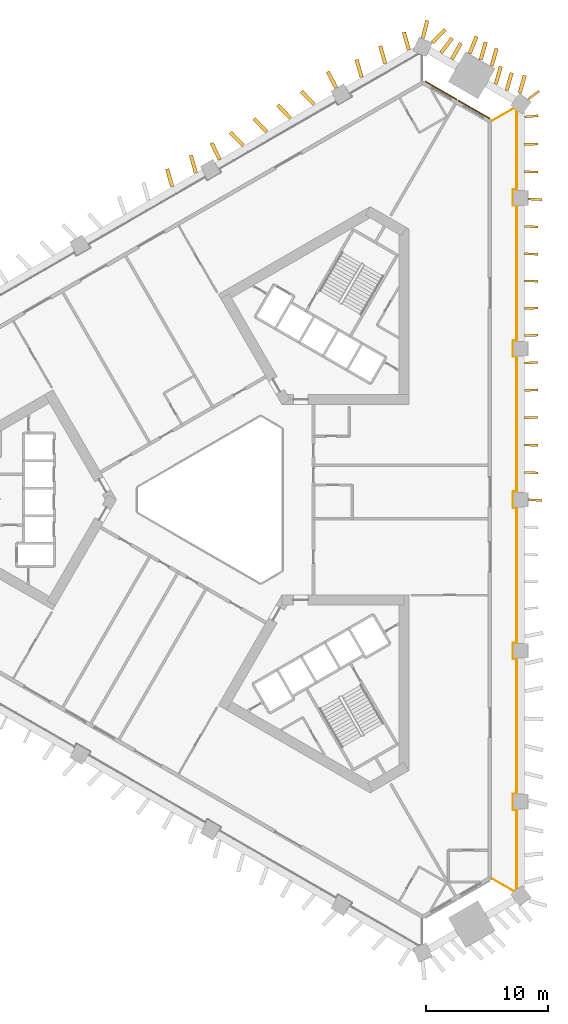
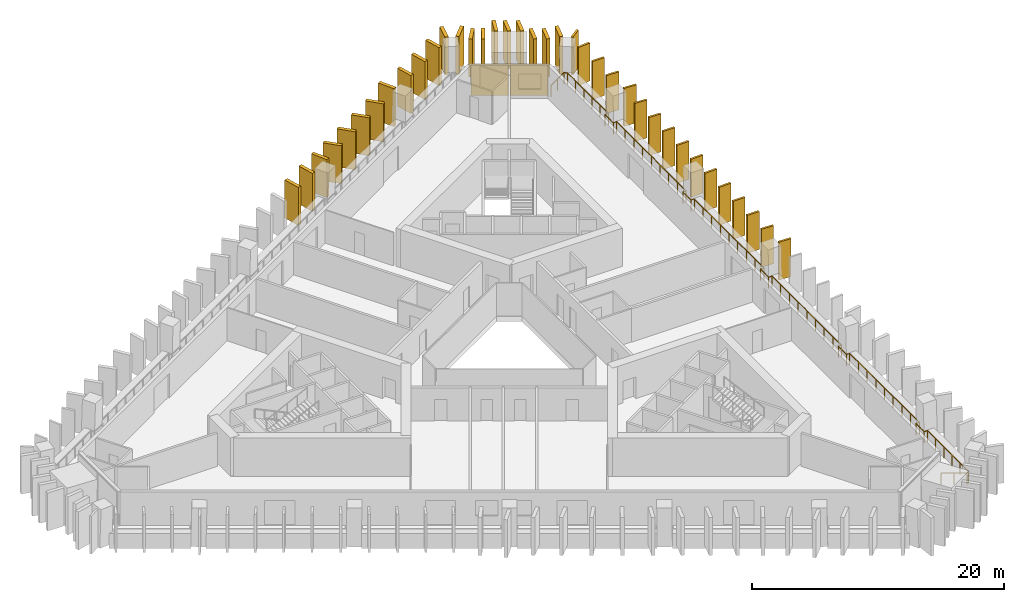
# One storey, part 10 of 10: 37 shading devices, 2 coverings, 1 railing.
"""IFC4 building model written with IfcOpenShell, lengths in metres."""

from ifc_helpers import new_model, si_unit, direction, frame, frame_2d, origin, origin_2d, place, context, subcontext, project, spatial, rectangle, circle, extrude, material, layer, layer_set, type_object, element, save


model = new_model("IFC4")

# Units and contexts
model_context = context("Model", 3, precision=1e-05, world=origin(), true_north=direction((0.0, 1.0)))
body_context = subcontext(model_context, "Body", "Model", "MODEL_VIEW")
ifc_project = project(units=[si_unit("LENGTHUNIT", "METRE"), si_unit("AREAUNIT", "SQUARE_METRE"), si_unit("VOLUMEUNIT", "CUBIC_METRE"), si_unit("PLANEANGLEUNIT", "RADIAN"), si_unit("MASSUNIT", "GRAM", prefix="KILO")], contexts=[model_context])

# Site, building, storey
site_placement = place(None, origin())
site = spatial("IfcSite", under=ifc_project, at=site_placement, CompositionType="ELEMENT")
building_placement = place(site_placement, origin())
building = spatial("IfcBuilding", under=site, at=building_placement, Name="Jabali Bay Hotel Tower and Convention Centre", CompositionType="ELEMENT")
storey_placement = place(building_placement, frame((0.0, 0.0, 30.0)))
storey = spatial("IfcBuildingStorey", under=building, at=storey_placement, Name="L05", CompositionType="ELEMENT", Elevation=30.0)

# Railing
ifc_material_1 = material(Name="Glass", Category="glass")
railing_type = type_object("IfcRailingType", Name="Loggia glass guard 1100", PredefinedType="BALUSTRADE", material=ifc_material_1)
railing_placement = place(storey_placement, frame((96.699951171875, 110.969970703125, 0.0)))
element("IfcRailing", 1, at=railing_placement, inside=storey, type_object=railing_type, Name="Loggia glass guard L05", PredefinedType="BALUSTRADE", context=body_context, shape_type="SweptSolid", body=[
    extrude(circle(Radius=0.02490234375, at=origin_2d()), frame((0.0, 0.0, 1.0751953125), z_axis=(0.866005633567, 0.500034241458, 0.0), x_axis=(-0.495756379204, 0.858596835321, 0.13052619222)), (0.0, 0.0, 1.0), 2.055908203125),
    extrude(circle(Radius=0.02490234375, at=origin_2d()), frame((1.780517578125, 1.028076171875, 1.0751953125), z_axis=(0.802243160575, -0.596997413153, 0.0), x_axis=(0.591890017524, 0.795379859124, 0.13052619222)), (0.0, 0.0, 1.0), 0.273681640625),
    extrude(circle(Radius=0.02490234375, at=origin_2d()), frame((2.0, 0.86474609375, 1.0751953125), z_axis=(0.0, -1.0, 0.0), x_axis=(0.991444861374, 0.0, 0.13052619222)), (0.0, 0.0, 1.0), 6.504638671875),
    extrude(circle(Radius=0.02490234375, at=origin_2d()), frame((2.0, -5.639892578125, 1.0751953125), z_axis=(-1.0, 0.0, 0.0), x_axis=(0.0, -0.991444861374, 0.13052619222)), (0.0, 0.0, 1.0), 0.300048828125),
    extrude(circle(Radius=0.02490234375, at=origin_2d()), frame((1.699951171875, -5.639892578125, 1.0751953125), z_axis=(0.0, -1.0, 0.0), x_axis=(0.991444861374, 0.0, 0.13052619222)), (0.0, 0.0, 1.0), 1.300048828125),
    extrude(circle(Radius=0.02490234375, at=origin_2d()), frame((1.699951171875, -6.93994140625, 1.0751953125), z_axis=(1.0, 0.0, 0.0), x_axis=(0.0, 0.991444861374, 0.13052619222)), (0.0, 0.0, 1.0), 0.300048828125),
    extrude(circle(Radius=0.02490234375, at=origin_2d()), frame((2.0, -6.93994140625, 1.0751953125), z_axis=(0.0, -1.0, 0.0), x_axis=(0.991444861374, 0.0, 0.13052619222)), (0.0, 0.0, 1.0), 11.0400390625),
    extrude(circle(Radius=0.02490234375, at=origin_2d()), frame((2.0, -17.97998046875, 1.0751953125), z_axis=(-1.0, 0.0, 0.0), x_axis=(0.0, -0.991444861374, 0.13052619222)), (0.0, 0.0, 1.0), 0.300048828125),
    extrude(circle(Radius=0.02490234375, at=origin_2d()), frame((1.699951171875, -17.97998046875, 1.0751953125), z_axis=(0.0, -1.0, 0.0), x_axis=(0.991444861374, 0.0, 0.13052619222)), (0.0, 0.0, 1.0), 1.300048828125),
    extrude(circle(Radius=0.02490234375, at=origin_2d()), frame((1.699951171875, -19.280029296875, 1.0751953125), z_axis=(1.0, 0.0, 0.0), x_axis=(0.0, 0.991444861374, 0.13052619222)), (0.0, 0.0, 1.0), 0.300048828125),
    extrude(circle(Radius=0.02490234375, at=origin_2d()), frame((2.0, -19.280029296875, 1.0751953125), z_axis=(0.0, -1.0, 0.0), x_axis=(0.991444861374, 0.0, 0.13052619222)), (0.0, 0.0, 1.0), 11.0400390625),
    extrude(circle(Radius=0.02490234375, at=origin_2d()), frame((2.0, -30.320068359375, 1.0751953125), z_axis=(-1.0, 0.0, 0.0), x_axis=(0.0, -0.991444861374, 0.13052619222)), (0.0, 0.0, 1.0), 0.300048828125),
    extrude(circle(Radius=0.02490234375, at=origin_2d()), frame((1.699951171875, -30.320068359375, 1.0751953125), z_axis=(0.0, -1.0, 0.0), x_axis=(0.991444861374, 0.0, 0.13052619222)), (0.0, 0.0, 1.0), 1.2998046875),
    extrude(circle(Radius=0.02490234375, at=origin_2d()), frame((1.699951171875, -31.619873046875, 1.0751953125), z_axis=(1.0, 0.0, 0.0), x_axis=(0.0, 0.991444861374, 0.13052619222)), (0.0, 0.0, 1.0), 0.300048828125),
    extrude(circle(Radius=0.02490234375, at=origin_2d()), frame((2.0, -31.619873046875, 1.0751953125), z_axis=(0.0, -1.0, 0.0), x_axis=(0.991444861374, 0.0, 0.13052619222)), (0.0, 0.0, 1.0), 11.0400390625),
    extrude(circle(Radius=0.02490234375, at=origin_2d()), frame((2.0, -42.659912109375, 1.0751953125), z_axis=(-1.0, 0.0, 0.0), x_axis=(0.0, -0.991444861374, 0.13052619222)), (0.0, 0.0, 1.0), 0.300048828125),
    extrude(circle(Radius=0.02490234375, at=origin_2d()), frame((1.699951171875, -42.659912109375, 1.0751953125), z_axis=(0.0, -1.0, 0.0), x_axis=(0.991444861374, 0.0, 0.13052619222)), (0.0, 0.0, 1.0), 1.300048828125),
    extrude(circle(Radius=0.02490234375, at=origin_2d()), frame((1.699951171875, -43.9599609375, 1.0751953125), z_axis=(1.0, 0.0, 0.0), x_axis=(0.0, 0.991444861374, 0.13052619222)), (0.0, 0.0, 1.0), 0.300048828125),
    extrude(circle(Radius=0.02490234375, at=origin_2d()), frame((2.0, -43.9599609375, 1.0751953125), z_axis=(0.0, -1.0, 0.0), x_axis=(0.991444861374, 0.0, 0.13052619222)), (0.0, 0.0, 1.0), 11.0400390625),
    extrude(circle(Radius=0.02490234375, at=origin_2d()), frame((2.0, -55.0, 1.0751953125), z_axis=(-1.0, 0.0, 0.0), x_axis=(0.0, -0.991444861374, 0.13052619222)), (0.0, 0.0, 1.0), 0.300048828125),
    extrude(circle(Radius=0.02490234375, at=origin_2d()), frame((1.699951171875, -55.0, 1.0751953125), z_axis=(0.0, -1.0, 0.0), x_axis=(0.991444861374, 0.0, 0.13052619222)), (0.0, 0.0, 1.0), 1.300048828125),
    extrude(circle(Radius=0.02490234375, at=origin_2d()), frame((1.699951171875, -56.300048828125, 1.0751953125), z_axis=(1.0, 0.0, 0.0), x_axis=(0.0, 0.991444861374, 0.13052619222)), (0.0, 0.0, 1.0), 0.300048828125),
    extrude(circle(Radius=0.02490234375, at=origin_2d()), frame((2.0, -56.300048828125, 1.0751953125), z_axis=(0.0, -1.0, 0.0), x_axis=(0.991444861374, 0.0, 0.13052619222)), (0.0, 0.0, 1.0), 6.504638671875),
    extrude(circle(Radius=0.02490234375, at=origin_2d()), frame((2.0, -62.8046875, 1.0751953125), z_axis=(-0.802243160575, -0.596997413153, 0.0), x_axis=(0.591890017524, -0.795379859124, 0.13052619222)), (0.0, 0.0, 1.0), 0.273681640625),
    extrude(circle(Radius=0.02490234375, at=origin_2d()), frame((1.780517578125, -62.968017578125, 1.0751953125), z_axis=(-0.866005633567, 0.500034241458, 0.0), x_axis=(-0.495756379204, -0.858596835321, 0.13052619222)), (0.0, 0.0, 1.0), 2.055908203125),
    extrude(circle(Radius=0.02001953125, at=origin_2d()), origin(), (0.0, 0.0, 1.0), 1.050048828125),
    extrude(circle(Radius=0.02001953125, at=origin_2d()), frame((0.89013671875, 0.51416015625, 0.0)), (0.0, 0.0, 1.0), 1.050048828125),
    extrude(circle(Radius=0.02001953125, at=origin_2d()), frame((1.780517578125, 1.028076171875, 0.0)), (0.0, 0.0, 1.0), 1.050048828125),
    extrude(circle(Radius=0.02001953125, at=origin_2d()), frame((2.0, 0.86474609375, 0.0)), (0.0, 0.0, 1.0), 1.050048828125),
    extrude(circle(Radius=0.02001953125, at=origin_2d()), frame((2.0, -0.436279296875, 0.0)), (0.0, 0.0, 1.0), 1.050048828125),
    extrude(circle(Radius=0.02001953125, at=origin_2d()), frame((2.0, -1.737060546875, 0.0)), (0.0, 0.0, 1.0), 1.050048828125),
    extrude(circle(Radius=0.02001953125, at=origin_2d()), frame((2.0, -3.0380859375, 0.0)), (0.0, 0.0, 1.0), 1.050048828125),
    extrude(circle(Radius=0.02001953125, at=origin_2d()), frame((2.0, -4.3388671875, 0.0)), (0.0, 0.0, 1.0), 1.050048828125),
    extrude(circle(Radius=0.02001953125, at=origin_2d()), frame((2.0, -5.639892578125, 0.0)), (0.0, 0.0, 1.0), 1.050048828125),
    extrude(circle(Radius=0.02001953125, at=origin_2d()), frame((1.699951171875, -5.639892578125, 0.0)), (0.0, 0.0, 1.0), 1.050048828125),
    extrude(circle(Radius=0.02001953125, at=origin_2d()), frame((1.699951171875, -6.93994140625, 0.0)), (0.0, 0.0, 1.0), 1.050048828125),
    extrude(circle(Radius=0.02001953125, at=origin_2d()), frame((2.0, -6.93994140625, 0.0)), (0.0, 0.0, 1.0), 1.050048828125),
    extrude(circle(Radius=0.02001953125, at=origin_2d()), frame((2.0, -8.31982421875, 0.0)), (0.0, 0.0, 1.0), 1.050048828125),
    extrude(circle(Radius=0.02001953125, at=origin_2d()), frame((2.0, -9.699951171875, 0.0)), (0.0, 0.0, 1.0), 1.050048828125),
    extrude(circle(Radius=0.02001953125, at=origin_2d()), frame((2.0, -11.080078125, 0.0)), (0.0, 0.0, 1.0), 1.050048828125),
    extrude(circle(Radius=0.02001953125, at=origin_2d()), frame((2.0, -12.4599609375, 0.0)), (0.0, 0.0, 1.0), 1.050048828125),
    extrude(circle(Radius=0.02001953125, at=origin_2d()), frame((2.0, -13.83984375, 0.0)), (0.0, 0.0, 1.0), 1.050048828125),
    extrude(circle(Radius=0.02001953125, at=origin_2d()), frame((2.0, -15.219970703125, 0.0)), (0.0, 0.0, 1.0), 1.050048828125),
    extrude(circle(Radius=0.02001953125, at=origin_2d()), frame((2.0, -16.60009765625, 0.0)), (0.0, 0.0, 1.0), 1.050048828125),
    extrude(circle(Radius=0.02001953125, at=origin_2d()), frame((2.0, -17.97998046875, 0.0)), (0.0, 0.0, 1.0), 1.050048828125),
    extrude(circle(Radius=0.02001953125, at=origin_2d()), frame((1.699951171875, -17.97998046875, 0.0)), (0.0, 0.0, 1.0), 1.050048828125),
    extrude(circle(Radius=0.02001953125, at=origin_2d()), frame((1.699951171875, -19.280029296875, 0.0)), (0.0, 0.0, 1.0), 1.050048828125),
    extrude(circle(Radius=0.02001953125, at=origin_2d()), frame((2.0, -19.280029296875, 0.0)), (0.0, 0.0, 1.0), 1.050048828125),
    extrude(circle(Radius=0.02001953125, at=origin_2d()), frame((2.0, -20.66015625, 0.0)), (0.0, 0.0, 1.0), 1.050048828125),
    extrude(circle(Radius=0.02001953125, at=origin_2d()), frame((2.0, -22.0400390625, 0.0)), (0.0, 0.0, 1.0), 1.050048828125),
    extrude(circle(Radius=0.02001953125, at=origin_2d()), frame((2.0, -23.419921875, 0.0)), (0.0, 0.0, 1.0), 1.050048828125),
    extrude(circle(Radius=0.02001953125, at=origin_2d()), frame((2.0, -24.800048828125, 0.0)), (0.0, 0.0, 1.0), 1.050048828125),
    extrude(circle(Radius=0.02001953125, at=origin_2d()), frame((2.0, -26.18017578125, 0.0)), (0.0, 0.0, 1.0), 1.050048828125),
    extrude(circle(Radius=0.02001953125, at=origin_2d()), frame((2.0, -27.56005859375, 0.0)), (0.0, 0.0, 1.0), 1.050048828125),
    extrude(circle(Radius=0.02001953125, at=origin_2d()), frame((2.0, -28.93994140625, 0.0)), (0.0, 0.0, 1.0), 1.050048828125),
    extrude(circle(Radius=0.02001953125, at=origin_2d()), frame((2.0, -30.320068359375, 0.0)), (0.0, 0.0, 1.0), 1.050048828125),
    extrude(circle(Radius=0.02001953125, at=origin_2d()), frame((1.699951171875, -30.320068359375, 0.0)), (0.0, 0.0, 1.0), 1.050048828125),
    extrude(circle(Radius=0.02001953125, at=origin_2d()), frame((1.699951171875, -31.619873046875, 0.0)), (0.0, 0.0, 1.0), 1.050048828125),
    extrude(circle(Radius=0.02001953125, at=origin_2d()), frame((2.0, -31.619873046875, 0.0)), (0.0, 0.0, 1.0), 1.050048828125),
    extrude(circle(Radius=0.02001953125, at=origin_2d()), frame((2.0, -33.0, 0.0)), (0.0, 0.0, 1.0), 1.050048828125),
    extrude(circle(Radius=0.02001953125, at=origin_2d()), frame((2.0, -34.3798828125, 0.0)), (0.0, 0.0, 1.0), 1.050048828125),
    extrude(circle(Radius=0.02001953125, at=origin_2d()), frame((2.0, -35.759765625, 0.0)), (0.0, 0.0, 1.0), 1.050048828125),
    extrude(circle(Radius=0.02001953125, at=origin_2d()), frame((2.0, -37.139892578125, 0.0)), (0.0, 0.0, 1.0), 1.050048828125),
    extrude(circle(Radius=0.02001953125, at=origin_2d()), frame((2.0, -38.52001953125, 0.0)), (0.0, 0.0, 1.0), 1.050048828125),
    extrude(circle(Radius=0.02001953125, at=origin_2d()), frame((2.0, -39.89990234375, 0.0)), (0.0, 0.0, 1.0), 1.050048828125),
    extrude(circle(Radius=0.02001953125, at=origin_2d()), frame((2.0, -41.27978515625, 0.0)), (0.0, 0.0, 1.0), 1.050048828125),
    extrude(circle(Radius=0.02001953125, at=origin_2d()), frame((2.0, -42.659912109375, 0.0)), (0.0, 0.0, 1.0), 1.050048828125),
    extrude(circle(Radius=0.02001953125, at=origin_2d()), frame((1.699951171875, -42.659912109375, 0.0)), (0.0, 0.0, 1.0), 1.050048828125),
    extrude(circle(Radius=0.02001953125, at=origin_2d()), frame((1.699951171875, -43.9599609375, 0.0)), (0.0, 0.0, 1.0), 1.050048828125),
    extrude(circle(Radius=0.02001953125, at=origin_2d()), frame((2.0, -43.9599609375, 0.0)), (0.0, 0.0, 1.0), 1.050048828125),
    extrude(circle(Radius=0.02001953125, at=origin_2d()), frame((2.0, -45.33984375, 0.0)), (0.0, 0.0, 1.0), 1.050048828125),
    extrude(circle(Radius=0.02001953125, at=origin_2d()), frame((2.0, -46.719970703125, 0.0)), (0.0, 0.0, 1.0), 1.050048828125),
    extrude(circle(Radius=0.02001953125, at=origin_2d()), frame((2.0, -48.10009765625, 0.0)), (0.0, 0.0, 1.0), 1.050048828125),
    extrude(circle(Radius=0.02001953125, at=origin_2d()), frame((2.0, -49.47998046875, 0.0)), (0.0, 0.0, 1.0), 1.050048828125),
    extrude(circle(Radius=0.02001953125, at=origin_2d()), frame((2.0, -50.85986328125, 0.0)), (0.0, 0.0, 1.0), 1.050048828125),
    extrude(circle(Radius=0.02001953125, at=origin_2d()), frame((2.0, -52.239990234375, 0.0)), (0.0, 0.0, 1.0), 1.050048828125),
    extrude(circle(Radius=0.02001953125, at=origin_2d()), frame((2.0, -53.6201171875, 0.0)), (0.0, 0.0, 1.0), 1.050048828125),
    extrude(circle(Radius=0.02001953125, at=origin_2d()), frame((2.0, -55.0, 0.0)), (0.0, 0.0, 1.0), 1.050048828125),
    extrude(circle(Radius=0.02001953125, at=origin_2d()), frame((1.699951171875, -55.0, 0.0)), (0.0, 0.0, 1.0), 1.050048828125),
    extrude(circle(Radius=0.02001953125, at=origin_2d()), frame((1.699951171875, -56.300048828125, 0.0)), (0.0, 0.0, 1.0), 1.050048828125),
    extrude(circle(Radius=0.02001953125, at=origin_2d()), frame((2.0, -56.300048828125, 0.0)), (0.0, 0.0, 1.0), 1.050048828125),
    extrude(circle(Radius=0.02001953125, at=origin_2d()), frame((2.0, -57.60107421875, 0.0)), (0.0, 0.0, 1.0), 1.050048828125),
    extrude(circle(Radius=0.02001953125, at=origin_2d()), frame((2.0, -58.90185546875, 0.0)), (0.0, 0.0, 1.0), 1.050048828125),
    extrude(circle(Radius=0.02001953125, at=origin_2d()), frame((2.0, -60.202880859375, 0.0)), (0.0, 0.0, 1.0), 1.050048828125),
    extrude(circle(Radius=0.02001953125, at=origin_2d()), frame((2.0, -61.503662109375, 0.0)), (0.0, 0.0, 1.0), 1.050048828125),
    extrude(circle(Radius=0.02001953125, at=origin_2d()), frame((2.0, -62.8046875, 0.0)), (0.0, 0.0, 1.0), 1.050048828125),
    extrude(circle(Radius=0.02001953125, at=origin_2d()), frame((1.780517578125, -62.968017578125, 0.0)), (0.0, 0.0, 1.0), 1.050048828125),
    extrude(circle(Radius=0.02001953125, at=origin_2d()), frame((0.89013671875, -62.4541015625, 0.0)), (0.0, 0.0, 1.0), 1.050048828125),
    extrude(circle(Radius=0.02001953125, at=origin_2d()), frame((0.0, -61.93994140625, 0.0)), (0.0, 0.0, 1.0), 1.050048828125),
])

# Shading devices
ifc_material_2 = material(Name="Precast concrete C60", Category="concrete")
ifc_layer_1 = layer(ifc_material_2, 0.179931640625)
ifc_layer_set_1 = layer_set([ifc_layer_1], Name="Precast concrete C60")
shading_device_type_1 = type_object("IfcShadingDeviceType", Name="Precast fin 3680 x 1100", PredefinedType="USERDEFINED", material=ifc_layer_set_1)
shading_device_1_placement = place(storey_placement, frame((99.654541015625, 80.0, 0.010009765625), z_axis=(0.0, 0.0, 1.0), x_axis=(0.998639202456, -0.05215115835, 0.0)))
element("IfcShadingDevice", 2, at=shading_device_1_placement, inside=storey, type_object=shading_device_type_1, Name="Fin L05 014", ObjectType="FIN", PredefinedType="USERDEFINED", context=body_context, shape_type="SweptSolid", body=[
    extrude(rectangle(XDim=1.10009765625, YDim=0.179931640625, at=frame_2d((0.550048828125, 0.0))), origin(), (0.0, 0.0, 1.0), 3.679931640625),
])
for number, where, z_axis, x_axis, name in (
    (3, (99.34619140625, 82.2333984375, 0.010009765625), (0.0, 0.0, 1.0), (0.999156382467, -0.04106730299, 0.0), "Fin L05 015"),
    (4, (99.34375, 84.466796875, 0.010009765625), (0.0, 0.0, 1.0), (0.999911320111, -0.013317353875, 0.0), "Fin L05 016"),
):
    element("IfcShadingDevice", number, at=place(storey_placement, frame(where, z_axis=z_axis, x_axis=x_axis)), inside=storey, type_object=shading_device_type_1, Name=name, ObjectType="FIN", PredefinedType="USERDEFINED", context=body_context, shape_type="SweptSolid", body=[
        extrude(rectangle(XDim=1.099853515625, YDim=0.179931640625, at=frame_2d((0.5498046875, 0.0))), origin(), (0.0, 0.0, 1.0), 3.679931640625),
    ])
shading_device_2_placement = place(storey_placement, frame((99.343994140625, 86.7001953125, 0.010009765625), z_axis=(0.0, 0.0, 1.0), x_axis=(0.999838398582, 0.0179771166, 0.0)))
element("IfcShadingDevice", 5, at=shading_device_2_placement, inside=storey, type_object=shading_device_type_1, Name="Fin L05 017", ObjectType="FIN", PredefinedType="USERDEFINED", context=body_context, shape_type="SweptSolid", body=[
    extrude(rectangle(XDim=1.10009765625, YDim=0.179931640625, at=frame_2d((0.550048828125, 0.0))), origin(), (0.0, 0.0, 1.0), 3.679931640625),
])
shading_device_3_placement = place(storey_placement, frame((99.346435546875, 88.93359375, 0.010009765625), z_axis=(0.0, 0.0, 1.0), x_axis=(0.9990532245, 0.043504650523, 0.0)))
element("IfcShadingDevice", 6, at=shading_device_3_placement, inside=storey, type_object=shading_device_type_1, Name="Fin L05 018", ObjectType="FIN", PredefinedType="USERDEFINED", context=body_context, shape_type="SweptSolid", body=[
    extrude(rectangle(XDim=1.099853515625, YDim=0.179931640625, at=frame_2d((0.5498046875, 0.0))), origin(), (0.0, 0.0, 1.0), 3.679931640625),
])
for number, where, z_axis, x_axis, name in (
    (7, (99.346923828125, 91.1669921875, 0.010009765625), (0.0, 0.0, 1.0), (0.998763384036, 0.049716221783, 0.0), "Fin L05 019"),
    (8, (99.3466796875, 93.400390625, 0.010009765625), (0.0, 0.0, 1.0), (0.99881840149, 0.04859836257, 0.0), "Fin L05 020"),
    (9, (99.344482421875, 95.634033203125, 0.010009765625), (0.0, 0.0, 1.0), (0.99971276274, 0.023966476887, 0.0), "Fin L05 021"),
):
    element("IfcShadingDevice", number, at=place(storey_placement, frame(where, z_axis=z_axis, x_axis=x_axis)), inside=storey, type_object=shading_device_type_1, Name=name, ObjectType="FIN", PredefinedType="USERDEFINED", context=body_context, shape_type="SweptSolid", body=[
        extrude(rectangle(XDim=1.10009765625, YDim=0.179931640625, at=frame_2d((0.550048828125, 0.0))), origin(), (0.0, 0.0, 1.0), 3.679931640625),
    ])
for number, where, z_axis, x_axis, name in (
    (10, (99.343505859375, 97.867431640625, 0.010009765625), (0.0, 0.0, 1.0), (0.999935926415, -0.011320029356, 0.0), "Fin L05 022"),
    (11, (99.3466796875, 100.100830078125, 0.010009765625), (0.0, 0.0, 1.0), (0.998933461772, -0.046172924455, 0.0), "Fin L05 023"),
):
    element("IfcShadingDevice", number, at=place(storey_placement, frame(where, z_axis=z_axis, x_axis=x_axis)), inside=storey, type_object=shading_device_type_1, Name=name, ObjectType="FIN", PredefinedType="USERDEFINED", context=body_context, shape_type="SweptSolid", body=[
        extrude(rectangle(XDim=1.099853515625, YDim=0.179931640625, at=frame_2d((0.5498046875, 0.0))), origin(), (0.0, 0.0, 1.0), 3.679931640625),
    ])
for number, where, z_axis, x_axis, name in (
    (12, (99.346923828125, 102.334228515625, 0.010009765625), (0.0, 0.0, 1.0), (0.998696380733, -0.051044481682, 0.0), "Fin L05 024"),
    (13, (99.654541015625, 104.567626953125, 0.010009765625), (0.0, 0.0, 1.0), (0.998615989649, -0.052593775455, 0.0), "Fin L05 025"),
    (14, (99.345703125, 106.801025390625, 0.010009765625), (0.0, 0.0, 1.0), (0.999329348443, -0.036617664333, 0.0), "Fin L05 026"),
):
    element("IfcShadingDevice", number, at=place(storey_placement, frame(where, z_axis=z_axis, x_axis=x_axis)), inside=storey, type_object=shading_device_type_1, Name=name, ObjectType="FIN", PredefinedType="USERDEFINED", context=body_context, shape_type="SweptSolid", body=[
        extrude(rectangle(XDim=1.10009765625, YDim=0.179931640625, at=frame_2d((0.550048828125, 0.0))), origin(), (0.0, 0.0, 1.0), 3.679931640625),
    ])
shading_device_4_placement = place(storey_placement, frame((99.34423828125, 109.034423828125, 0.010009765625), z_axis=(0.0, 0.0, 1.0), x_axis=(0.999817756768, 0.019090658766, 0.0)))
element("IfcShadingDevice", 15, at=shading_device_4_placement, inside=storey, type_object=shading_device_type_1, Name="Fin L05 027", ObjectType="FIN", PredefinedType="USERDEFINED", context=body_context, shape_type="SweptSolid", body=[
    extrude(rectangle(XDim=1.099853515625, YDim=0.179931640625, at=frame_2d((0.5498046875, 0.0))), origin(), (0.0, 0.0, 1.0), 3.679931640625),
])
for number, where, z_axis, x_axis, name in (
    (16, (99.35107421875, 111.267822265625, 0.010009765625), (0.0, 0.0, 1.0), (0.995286657009, 0.096976648632, 0.0), "Fin L05 028"),
    (17, (99.639892578125, 112.72509765625, 0.010009765625), (0.0, 0.0, 1.0), (0.799600355407, 0.600532490073, 0.0), "Fin L05 115"),
):
    element("IfcShadingDevice", number, at=place(storey_placement, frame(where, z_axis=z_axis, x_axis=x_axis)), inside=storey, type_object=shading_device_type_1, Name=name, ObjectType="FIN", PredefinedType="USERDEFINED", context=body_context, shape_type="SweptSolid", body=[
        extrude(rectangle(XDim=1.10009765625, YDim=0.179931640625, at=frame_2d((0.550048828125, 0.0))), origin(), (0.0, 0.0, 1.0), 3.679931640625),
    ])
ifc_layer_2 = layer(ifc_material_2, 0.300048828125)
ifc_layer_set_2 = layer_set([ifc_layer_2], Name="Precast concrete C60")
shading_device_type_2 = type_object("IfcShadingDeviceType", Name="Precast fin 3680 x 1500", PredefinedType="USERDEFINED", material=ifc_layer_set_2)
shading_device_5_placement = place(storey_placement, frame((98.937744140625, 113.22021484375, 0.010009765625), z_axis=(0.0, 0.0, 1.0), x_axis=(0.273087133961, 0.961989302053, 0.0)))
element("IfcShadingDevice", 18, at=shading_device_5_placement, inside=storey, type_object=shading_device_type_2, Name="Fin L05 029", ObjectType="FIN", PredefinedType="USERDEFINED", context=body_context, shape_type="SweptSolid", body=[
    extrude(rectangle(XDim=1.500244140625, YDim=0.300048828125, at=frame_2d((0.75, 0.0))), origin(), (0.0, 0.0, 1.0), 3.679931640625),
])
for number, where, z_axis, x_axis, name in (
    (19, (97.87353515625, 113.437255859375, 0.010009765625), (0.0, 0.0, 1.0), (0.273129894781, 0.961977162191, 0.0), "Fin L05 030"),
    (20, (96.9814453125, 113.952392578125, 0.010009765625), (0.0, 0.0, 1.0), (0.273129894781, 0.961977162191, 0.0), "Fin L05 031"),
):
    element("IfcShadingDevice", number, at=place(storey_placement, frame(where, z_axis=z_axis, x_axis=x_axis)), inside=storey, type_object=shading_device_type_2, Name=name, ObjectType="FIN", PredefinedType="USERDEFINED", context=body_context, shape_type="SweptSolid", body=[
        extrude(rectangle(XDim=1.5, YDim=0.300048828125, at=frame_2d((0.75, 0.0))), origin(), (0.0, 0.0, 1.0), 3.679931640625),
    ])
shading_device_6_placement = place(storey_placement, frame((96.6455078125, 115.4306640625, 0.010009765625), z_axis=(0.0, 0.0, 1.0), x_axis=(0.273087133961, 0.961989302053, 0.0)))
element("IfcShadingDevice", 21, at=shading_device_6_placement, inside=storey, type_object=shading_device_type_2, Name="Fin L05 032", ObjectType="FIN", PredefinedType="USERDEFINED", context=body_context, shape_type="SweptSolid", body=[
    extrude(rectangle(XDim=1.500244140625, YDim=0.300048828125, at=frame_2d((0.75, 0.0))), origin(), (0.0, 0.0, 1.0), 3.679931640625),
])
shading_device_7_placement = place(storey_placement, frame((95.75341796875, 115.94580078125, 0.010009765625), z_axis=(0.0, 0.0, 1.0), x_axis=(0.272979256358, 0.962019919543, 0.0)))
element("IfcShadingDevice", 22, at=shading_device_7_placement, inside=storey, type_object=shading_device_type_2, Name="Fin L05 033", ObjectType="FIN", PredefinedType="USERDEFINED", context=body_context, shape_type="SweptSolid", body=[
    extrude(rectangle(XDim=1.499755859375, YDim=0.300048828125, at=frame_2d((0.75, 0.0))), origin(), (0.0, 0.0, 1.0), 3.679931640625),
])
for number, where, z_axis, x_axis, name in (
    (23, (94.853759765625, 116.447998046875, 0.010009765625), (0.0, 0.0, 1.0), (0.369003999687, 0.929427806887, 0.0), "Fin L05 034"),
    (24, (93.395751953125, 115.982666015625, 0.010009765625), (0.0, 0.0, 1.0), (0.487314208289, 0.873226695881, 0.0), "Fin L05 035"),
):
    element("IfcShadingDevice", number, at=place(storey_placement, frame(where, z_axis=z_axis, x_axis=x_axis)), inside=storey, type_object=shading_device_type_2, Name=name, ObjectType="FIN", PredefinedType="USERDEFINED", context=body_context, shape_type="SweptSolid", body=[
        extrude(rectangle(XDim=1.5, YDim=0.300048828125, at=frame_2d((0.75, 0.0))), origin(), (0.0, 0.0, 1.0), 3.679931640625),
    ])
shading_device_8_placement = place(storey_placement, frame((92.511474609375, 116.51171875, 0.010009765625), z_axis=(0.0, 0.0, 1.0), x_axis=(0.602132994115, 0.798395802467, 0.0)))
element("IfcShadingDevice", 25, at=shading_device_8_placement, inside=storey, type_object=shading_device_type_2, Name="Fin L05 036", ObjectType="FIN", PredefinedType="USERDEFINED", context=body_context, shape_type="SweptSolid", body=[
    extrude(rectangle(XDim=1.500244140625, YDim=0.300048828125, at=frame_2d((0.75, 0.0))), origin(), (0.0, 0.0, 1.0), 3.679931640625),
])
shading_device_9_placement = place(storey_placement, frame((91.80078125, 117.3408203125, 0.010009765625), z_axis=(0.0, 0.0, 1.0), x_axis=(0.696529610542, 0.717528049374, 0.0)))
element("IfcShadingDevice", 26, at=shading_device_9_placement, inside=storey, type_object=shading_device_type_2, Name="Fin L05 037", ObjectType="FIN", PredefinedType="USERDEFINED", context=body_context, shape_type="SweptSolid", body=[
    extrude(rectangle(XDim=1.499755859375, YDim=0.300048828125, at=frame_2d((0.75, 0.0))), origin(), (0.0, 0.0, 1.0), 3.679931640625),
])
for number, where, z_axis, x_axis, name in (
    (27, (89.88916015625, 116.74658203125, 0.010009765625), (0.0, 0.0, 1.0), (-0.274076195397, 0.961707980167, 0.0), "Fin L05 038"),
    (28, (87.955078125, 115.630126953125, 0.010009765625), (0.0, 0.0, 1.0), (-0.273431111351, 0.961891588146, 0.0), "Fin L05 039"),
    (29, (86.020751953125, 114.513427734375, 0.010009765625), (0.0, 0.0, 1.0), (-0.273129894781, 0.961977162191, 0.0), "Fin L05 040"),
    (30, (83.94775390625, 113.63720703125, 0.010009765625), (0.0, 0.0, 1.0), (-0.45999405328, 0.887921995981, 0.0), "Fin L05 041"),
):
    element("IfcShadingDevice", number, at=place(storey_placement, frame(where, z_axis=z_axis, x_axis=x_axis)), inside=storey, type_object=shading_device_type_2, Name=name, ObjectType="FIN", PredefinedType="USERDEFINED", context=body_context, shape_type="SweptSolid", body=[
        extrude(rectangle(XDim=1.5, YDim=0.300048828125, at=frame_2d((0.75, 0.0))), origin(), (0.0, 0.0, 1.0), 3.679931640625),
    ])
shading_device_10_placement = place(storey_placement, frame((82.15234375, 112.280029296875, 0.010009765625), z_axis=(0.0, 0.0, 1.0), x_axis=(-0.696529610542, 0.717528049374, 0.0)))
element("IfcShadingDevice", 31, at=shading_device_10_placement, inside=storey, type_object=shading_device_type_2, Name="Fin L05 042", ObjectType="FIN", PredefinedType="USERDEFINED", context=body_context, shape_type="SweptSolid", body=[
    extrude(rectangle(XDim=1.499755859375, YDim=0.300048828125, at=frame_2d((0.75, 0.0))), origin(), (0.0, 0.0, 1.0), 3.679931640625),
])
shading_device_11_placement = place(storey_placement, frame((80.21826171875, 111.163330078125, 0.010009765625), z_axis=(0.0, 0.0, 1.0), x_axis=(-0.696613402281, 0.717446700293, 0.0)))
element("IfcShadingDevice", 32, at=shading_device_11_placement, inside=storey, type_object=shading_device_type_2, Name="Fin L05 043", ObjectType="FIN", PredefinedType="USERDEFINED", context=body_context, shape_type="SweptSolid", body=[
    extrude(rectangle(XDim=1.5, YDim=0.300048828125, at=frame_2d((0.75, 0.0))), origin(), (0.0, 0.0, 1.0), 3.679931640625),
])
shading_device_12_placement = place(storey_placement, frame((78.283935546875, 110.046630859375, 0.010009765625), z_axis=(0.0, 0.0, 1.0), x_axis=(-0.696529610542, 0.717528049374, 0.0)))
element("IfcShadingDevice", 33, at=shading_device_12_placement, inside=storey, type_object=shading_device_type_2, Name="Fin L05 044", ObjectType="FIN", PredefinedType="USERDEFINED", context=body_context, shape_type="SweptSolid", body=[
    extrude(rectangle(XDim=1.499755859375, YDim=0.300048828125, at=frame_2d((0.75, 0.0))), origin(), (0.0, 0.0, 1.0), 3.679931640625),
])
shading_device_13_placement = place(storey_placement, frame((76.349853515625, 108.929931640625, 0.010009765625), z_axis=(0.0, 0.0, 1.0), x_axis=(-0.696613402281, 0.717446700293, 0.0)))
element("IfcShadingDevice", 34, at=shading_device_13_placement, inside=storey, type_object=shading_device_type_2, Name="Fin L05 045", ObjectType="FIN", PredefinedType="USERDEFINED", context=body_context, shape_type="SweptSolid", body=[
    extrude(rectangle(XDim=1.5, YDim=0.300048828125, at=frame_2d((0.75, 0.0))), origin(), (0.0, 0.0, 1.0), 3.679931640625),
])
shading_device_14_placement = place(storey_placement, frame((74.4287109375, 107.79052734375, 0.010009765625), z_axis=(0.0, 0.0, 1.0), x_axis=(-0.437095812155, 0.899414949285, 0.0)))
element("IfcShadingDevice", 35, at=shading_device_14_placement, inside=storey, type_object=shading_device_type_2, Name="Fin L05 046", ObjectType="FIN", PredefinedType="USERDEFINED", context=body_context, shape_type="SweptSolid", body=[
    extrude(rectangle(XDim=1.500244140625, YDim=0.300048828125, at=frame_2d((0.75, 0.0))), origin(), (0.0, 0.0, 1.0), 3.679931640625),
])
for number, where, z_axis, x_axis, name in (
    (36, (72.4814453125, 106.696533203125, 0.010009765625), (0.0, 0.0, 1.0), (-0.273129894781, 0.961977162191, 0.0), "Fin L05 047"),
    (37, (70.54736328125, 105.579833984375, 0.010009765625), (0.0, 0.0, 1.0), (-0.273129894781, 0.961977162191, 0.0), "Fin L05 048"),
):
    element("IfcShadingDevice", number, at=place(storey_placement, frame(where, z_axis=z_axis, x_axis=x_axis)), inside=storey, type_object=shading_device_type_2, Name=name, ObjectType="FIN", PredefinedType="USERDEFINED", context=body_context, shape_type="SweptSolid", body=[
        extrude(rectangle(XDim=1.5, YDim=0.300048828125, at=frame_2d((0.75, 0.0))), origin(), (0.0, 0.0, 1.0), 3.679931640625),
    ])
shading_device_15_placement = place(storey_placement, frame((91.020751953125, 117.7001953125, 0.010009765625), z_axis=(0.0, 0.0, 1.0), x_axis=(0.242535625036, 0.970142500145, 0.0)))
element("IfcShadingDevice", 38, at=shading_device_15_placement, inside=storey, type_object=shading_device_type_2, Name="Fin L05 116", ObjectType="FIN", PredefinedType="USERDEFINED", context=body_context, shape_type="SweptSolid", body=[
    extrude(rectangle(XDim=1.499755859375, YDim=0.300048828125, at=frame_2d((0.75, 0.0))), origin(), (0.0, 0.0, 1.0), 3.679931640625),
])

# Coverings
ifc_material_3 = material(Name="Precast concrete C40/50", Category="concrete")
ifc_layer_3 = layer(ifc_material_3, 0.080078125)
ifc_layer_set_3 = layer_set([ifc_layer_3], Name="Precast concrete C40/50")
covering_type = type_object("IfcCoveringType", Name="Relief panel 3000 x 3000", PredefinedType="CLADDING", material=ifc_layer_set_3)
for number, where, z_axis, x_axis, name in (
    (39, (92.50927734375, 113.435791015625, 0.10009765625), (0.0, 0.0, 1.0), (0.866025398994, -0.500000008298, 0.0), "Relief panel L05"),
    (40, (95.20166015625, 111.88134765625, 0.10009765625), (0.0, 0.0, 1.0), (0.866025398994, -0.500000008298, 0.0), "Relief panel L05"),
):
    element("IfcCovering", number, at=place(storey_placement, frame(where, z_axis=z_axis, x_axis=x_axis)), inside=storey, type_object=covering_type, Name=name, PredefinedType="CLADDING", context=body_context, shape_type="SweptSolid", body=[
        extrude(rectangle(XDim=3.0, YDim=0.080078125, at=origin_2d()), origin(), (0.0, 0.0, 1.0), 3.0),
    ])

save(model, "model.ifc")
